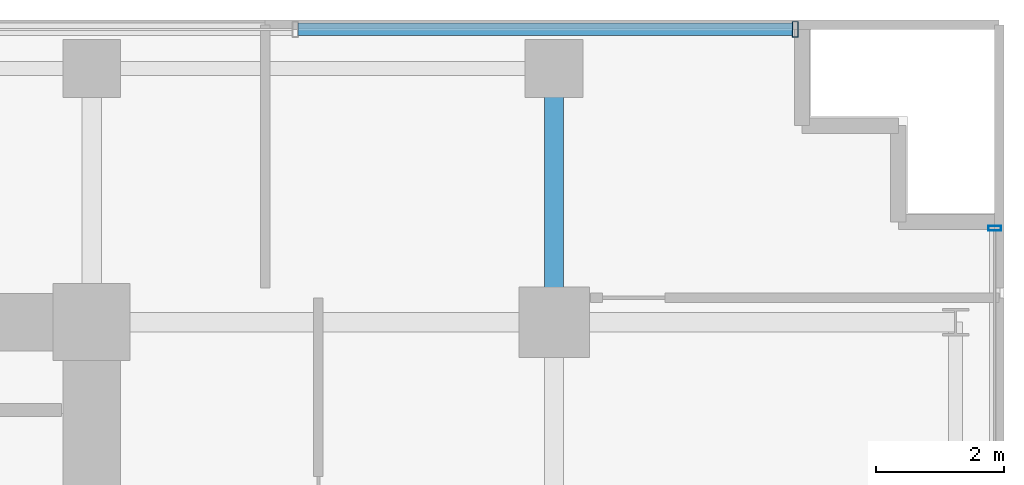
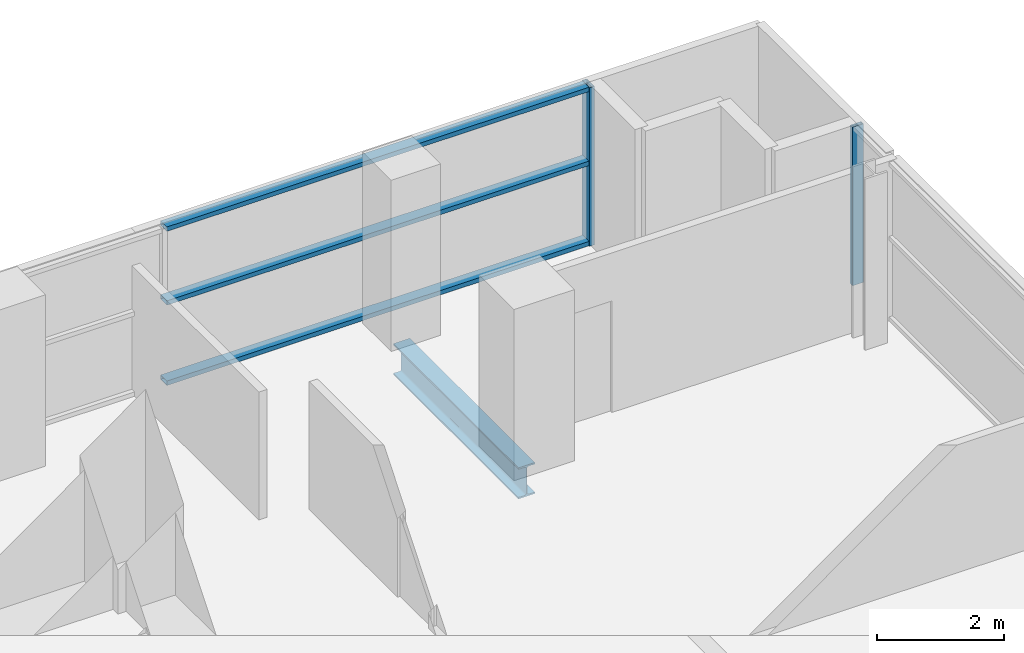
# One storey, part 21 of 30: 5 members, 1 beam, 2 elements without a shape of their own.
"""IFC4 building model written with IfcOpenShell, lengths in metres."""

from ifc_helpers import new_model, si_unit, direction, frame, origin, origin_2d, place, context, subcontext, project, spatial, hollow_rectangle, i_section, extrude, source, transform, mapped, material, layer, layer_set, material_profile, profile_set, type_object, element, aggregate, save


model = new_model("IFC4")

# Units and contexts
model_context = context("Model", 3, precision=1e-05, world=origin(), true_north=direction((0.0, 1.0)))
body_context = subcontext(model_context, "Body", "Model", "MODEL_VIEW")
ifc_project = project(units=[si_unit("LENGTHUNIT", "METRE"), si_unit("AREAUNIT", "SQUARE_METRE"), si_unit("VOLUMEUNIT", "CUBIC_METRE"), si_unit("PLANEANGLEUNIT", "RADIAN"), si_unit("MASSUNIT", "GRAM", prefix="KILO")], contexts=[model_context])

# Site, building, storey
site_placement = place(None, origin())
site = spatial("IfcSite", under=ifc_project, at=site_placement, CompositionType="ELEMENT")
building_placement = place(site_placement, origin())
building = spatial("IfcBuilding", under=site, at=building_placement, Name="Zarnakvel Exchange Tower", CompositionType="ELEMENT")
storey_placement = place(building_placement, frame((0.0, 0.0, 34.0)))
storey = spatial("IfcBuildingStorey", under=building, at=storey_placement, Name="L08", CompositionType="ELEMENT", Elevation=34.0)

# Beam
ifc_material_1 = material(Name="Steel S355", Category="steel")
ifc_material_profile_1 = material_profile(ifc_material_1, i_section(OverallWidth=0.300048828125, OverallDepth=0.60009765625, WebThickness=0.015380859375, FlangeThickness=0.030029296875, FilletRadius=0.027099609375, at=origin_2d()))
ifc_profile_set_1 = profile_set([ifc_material_profile_1], Name="Steel S355")
beam_type = type_object("IfcBeamType", Name="G-04", PredefinedType="BEAM", material=ifc_profile_set_1)
beam_placement = place(storey_placement, frame((21.60009765625, 13.5, -0.52490234375), z_axis=(0.0, 1.0, 0.0), x_axis=(-1.0, 0.0, 0.0)))
element("IfcBeam", 1, at=beam_placement, inside=storey, type_object=beam_type, Name="L08 Tower N-S Frame Beam", PredefinedType="BEAM", context=body_context, shape_type="SweptSolid", body=[
    extrude(i_section(OverallWidth=0.300048828125, OverallDepth=0.60009765625, WebThickness=0.015380859375, FlangeThickness=0.030029296875, FilletRadius=0.027099609375, at=origin_2d()), origin(), (0.0, 0.0, 1.0), 3.949951171875),
])

# Curtain wall, members
ifc_material_2 = material(Name="Architectural Bronze Anodised Aluminium", Category="aluminium")
ifc_layer_1 = layer(ifc_material_2, 0.239990234375)
ifc_layer_set_1 = layer_set([ifc_layer_1], Name="Architectural Bronze Anodised Aluminium")
curtain_wall_type_1 = type_object("IfcCurtainWallType", Name="CW-02", PredefinedType="NOTDEFINED", material=ifc_layer_set_1)
curtain_wall_1_placement = place(storey_placement, origin())
curtain_wall_1 = element("IfcCurtainWall", 2, at=curtain_wall_1_placement, inside=storey, type_object=curtain_wall_type_1, Name="L08 Curtain Wall CW-L08-N1 (CW-02)", PredefinedType="NOTDEFINED")
ifc_material_profile_2 = material_profile(ifc_material_2, hollow_rectangle(XDim=0.199951171875, YDim=0.0849609375, WallThickness=0.0048828125, at=origin_2d()))
ifc_profile_set_2 = profile_set([ifc_material_profile_2], Name="Architectural Bronze Anodised Aluminium")
member_type_1 = type_object("IfcMemberType", Name="CWT-02", PredefinedType="USERDEFINED", material=ifc_profile_set_2)
shared_shape_1 = source(origin(), body_context, "Body", "SweptSolid", [
    extrude(hollow_rectangle(XDim=0.199951171875, YDim=0.0849609375, WallThickness=0.0048828125, at=origin_2d()), origin(), (0.0, 0.0, 1.0), 7.693603515625),
])
member_1_placement = place(storey_placement, frame((17.616455078125, 18.06005859375, 0.04248046875), z_axis=(1.0, 0.0, 0.0), x_axis=(0.0, 1.0, 0.0)))
member_1 = element("IfcMember", 3, at=member_1_placement, type_object=member_type_1, Name="CW-02 transom 7.1", ObjectType="TRANSOM", PredefinedType="USERDEFINED", context=body_context, shape_type="MappedRepresentation", body=[
    mapped(shared_shape_1, transform((0.0, 0.0, 0.0), x_axis=(1.0, 0.0, 0.0), y_axis=(0.0, 1.0, 0.0), z_axis=(0.0, 0.0, 1.0), scale=1.0)),
])
member_2_placement = place(storey_placement, frame((17.616455078125, 18.06005859375, 1.588623046875), z_axis=(1.0, 0.0, 0.0), x_axis=(0.0, 1.0, 0.0)))
member_2 = element("IfcMember", 4, at=member_2_placement, type_object=member_type_1, Name="CW-02 transom 7.2", ObjectType="TRANSOM", PredefinedType="USERDEFINED", context=body_context, shape_type="MappedRepresentation", body=[
    mapped(shared_shape_1, transform((0.0, 0.0, 0.0), x_axis=(1.0, 0.0, 0.0), y_axis=(0.0, 1.0, 0.0), z_axis=(0.0, 0.0, 1.0), scale=1.0)),
])
member_3_placement = place(storey_placement, frame((17.616455078125, 18.06005859375, 3.012451171875), z_axis=(1.0, 0.0, 0.0), x_axis=(0.0, 1.0, 0.0)))
member_3 = element("IfcMember", 5, at=member_3_placement, type_object=member_type_1, Name="CW-02 transom 7.3", ObjectType="TRANSOM", PredefinedType="USERDEFINED", context=body_context, shape_type="MappedRepresentation", body=[
    mapped(shared_shape_1, transform((0.0, 0.0, 0.0), x_axis=(1.0, 0.0, 0.0), y_axis=(0.0, 1.0, 0.0), z_axis=(0.0, 0.0, 1.0), scale=1.0)),
])
ifc_material_profile_3 = material_profile(ifc_material_2, hollow_rectangle(XDim=0.239990234375, YDim=0.090087890625, WallThickness=0.006103515625, at=origin_2d()))
ifc_profile_set_3 = profile_set([ifc_material_profile_3], Name="Architectural Bronze Anodised Aluminium")
member_type_2 = type_object("IfcMemberType", Name="CWM-02", PredefinedType="MULLION", material=ifc_profile_set_3)
shared_shape_2 = source(origin(), body_context, "Body", "SweptSolid", [
    extrude(hollow_rectangle(XDim=0.239990234375, YDim=0.090087890625, WallThickness=0.006103515625, at=origin_2d()), origin(), (0.0, 0.0, 1.0), 3.054931640625),
])
member_4_placement = place(storey_placement, frame((25.35498046875, 18.06005859375, 0.0), z_axis=(0.0, 0.0, 1.0), x_axis=(0.0, 1.0, 0.0)))
member_4 = element("IfcMember", 6, at=member_4_placement, type_object=member_type_2, Name="CW-02 mullion 8", PredefinedType="MULLION", context=body_context, shape_type="MappedRepresentation", body=[
    mapped(shared_shape_2, transform((0.0, 0.0, 0.0), x_axis=(1.0, 0.0, 0.0), y_axis=(0.0, 1.0, 0.0), z_axis=(0.0, 0.0, 1.0), scale=1.0)),
])
aggregate(curtain_wall_1, [member_4, member_1, member_2, member_3])

# Curtain wall, member
ifc_layer_2 = layer(ifc_material_2, 0.199951171875)
ifc_layer_set_2 = layer_set([ifc_layer_2], Name="Architectural Bronze Anodised Aluminium")
curtain_wall_type_2 = type_object("IfcCurtainWallType", Name="CW-04", PredefinedType="NOTDEFINED", material=ifc_layer_set_2)
curtain_wall_2_placement = place(storey_placement, origin())
curtain_wall_2 = element("IfcCurtainWall", 7, at=curtain_wall_2_placement, inside=storey, type_object=curtain_wall_type_2, Name="L08 Curtain Wall CW-L08-E1 (CW-04)", PredefinedType="NOTDEFINED")
ifc_material_profile_4 = material_profile(ifc_material_2, hollow_rectangle(XDim=0.199951171875, YDim=0.074951171875, WallThickness=0.0048828125, at=origin_2d()))
ifc_profile_set_4 = profile_set([ifc_material_profile_4], Name="Architectural Bronze Anodised Aluminium")
member_type_3 = type_object("IfcMemberType", Name="CWM-04", PredefinedType="MULLION", material=ifc_profile_set_4)
shared_shape_3 = source(origin(), body_context, "Body", "SweptSolid", [
    extrude(hollow_rectangle(XDim=0.199951171875, YDim=0.074951171875, WallThickness=0.0048828125, at=origin_2d()), origin(), (0.0, 0.0, 1.0), 3.054931640625),
])
member_5_placement = place(storey_placement, frame((28.4599609375, 14.96240234375, 0.0), z_axis=(0.0, 0.0, 1.0), x_axis=(-1.0, 0.0, 0.0)))
member_5 = element("IfcMember", 8, at=member_5_placement, type_object=member_type_3, Name="CW-04 mullion 5", PredefinedType="MULLION", context=body_context, shape_type="MappedRepresentation", body=[
    mapped(shared_shape_3, transform((0.0, 0.0, 0.0), x_axis=(1.0, 0.0, 0.0), y_axis=(0.0, 1.0, 0.0), z_axis=(0.0, 0.0, 1.0), scale=1.0)),
])
aggregate(curtain_wall_2, [member_5])

save(model, "model.ifc")
